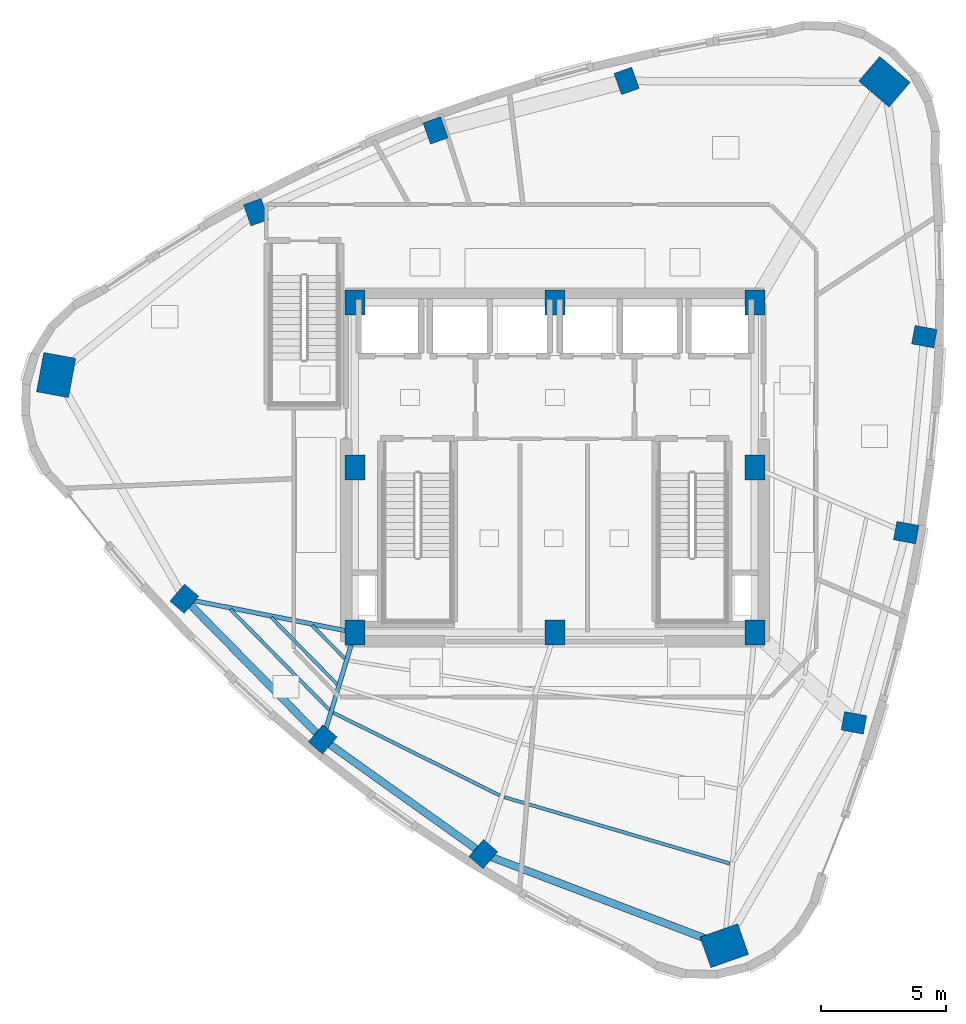
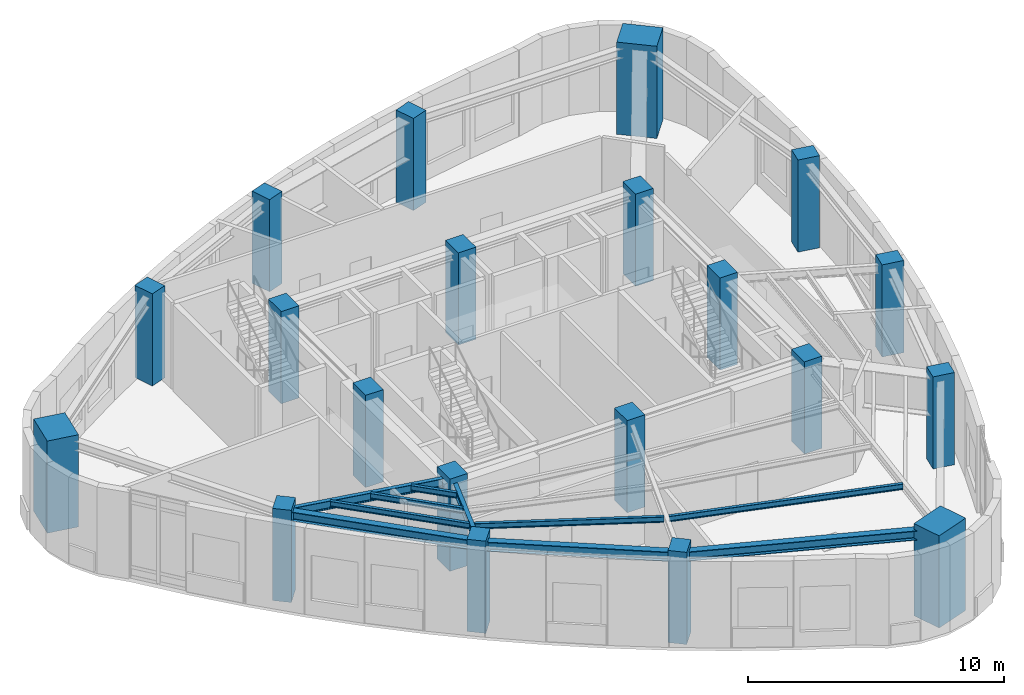
# One storey, part 1 of 14: 20 columns, 10 beams.
"""IFC4 building model written with IfcOpenShell, lengths in metres."""

from ifc_helpers import new_model, si_unit, direction, frame, origin, origin_2d, place, context, subcontext, project, spatial, rectangle, i_section, extrude, material, material_profile, profile_set, type_object, element, save


model = new_model("IFC4")

# Units and contexts
model_context = context("Model", 3, precision=1e-05, world=origin(), true_north=direction((0.0, 1.0)))
body_context = subcontext(model_context, "Body", "Model", "MODEL_VIEW")
ifc_project = project(units=[si_unit("LENGTHUNIT", "METRE"), si_unit("AREAUNIT", "SQUARE_METRE"), si_unit("VOLUMEUNIT", "CUBIC_METRE"), si_unit("PLANEANGLEUNIT", "RADIAN"), si_unit("MASSUNIT", "GRAM", prefix="KILO")], contexts=[model_context])

# Site, building, storey
site_placement = place(None, origin())
site = spatial("IfcSite", under=ifc_project, at=site_placement, CompositionType="ELEMENT")
building_placement = place(site_placement, origin())
building = spatial("IfcBuilding", under=site, at=building_placement, Name="Ndelora Gate Hotel", CompositionType="ELEMENT")
storey_placement = place(building_placement, frame((0.0, 0.0, 281.60009765625)))
storey = spatial("IfcBuildingStorey", under=building, at=storey_placement, Name="L70", CompositionType="ELEMENT", Elevation=281.60009765625)

# Columns
ifc_material_1 = material(Name="Concrete C50/60", Category="concrete")
ifc_material_profile_1 = material_profile(ifc_material_1, rectangle(XDim=0.800048828125, YDim=1.0, at=origin_2d()), Name="RC 1000x800")
ifc_profile_set_1 = profile_set([ifc_material_profile_1], Name="Concrete C50/60")
column_type_1 = type_object("IfcColumnType", Name="COL-CC-HI", PredefinedType="COLUMN", material=ifc_profile_set_1)
for number, where, z_axis, x_axis, name in (
    (1, (-8.0, -6.60009765625, 0.0), (0.0, 0.0, 1.0), (1.0, 0.0, 0.0), "L70 Core Column CC1"),
    (2, (0.0, -6.60009765625, 0.0), (0.0, 0.0, 1.0), (1.0, 0.0, 0.0), "L70 Core Column CC2"),
    (3, (8.0, -6.60009765625, 0.0), (0.0, 0.0, 1.0), (1.0, 0.0, 0.0), "L70 Core Column CC3"),
    (4, (8.0, 0.0, 0.0), (0.0, 0.0, 1.0), (1.0, 0.0, 0.0), "L70 Core Column CC4"),
    (5, (8.0, 6.60009765625, 0.0), (0.0, 0.0, 1.0), (1.0, 0.0, 0.0), "L70 Core Column CC5"),
    (6, (0.0, 6.60009765625, 0.0), (0.0, 0.0, 1.0), (1.0, 0.0, 0.0), "L70 Core Column CC6"),
    (7, (-8.0, 6.60009765625, 0.0), (0.0, 0.0, 1.0), (1.0, 0.0, 0.0), "L70 Core Column CC7"),
    (8, (-8.0, 0.0, 0.0), (0.0, 0.0, 1.0), (1.0, 0.0, 0.0), "L70 Core Column CC8"),
):
    element("IfcColumn", number, at=place(storey_placement, frame(where, z_axis=z_axis, x_axis=x_axis)), inside=storey, type_object=column_type_1, Name=name, PredefinedType="COLUMN", context=body_context, shape_type="SweptSolid", body=[
        extrude(rectangle(XDim=0.800048828125, YDim=1.0, at=origin_2d()), origin(), (0.0, 0.0, 1.0), 4.39990234375),
    ])
ifc_material_profile_2 = material_profile(ifc_material_1, rectangle(XDim=1.300048828125, YDim=1.60009765625, at=origin_2d()), Name="RC 1600x1300")
ifc_profile_set_2 = profile_set([ifc_material_profile_2], Name="Concrete C50/60")
column_type_2 = type_object("IfcColumnType", Name="COL-MC-Z4", PredefinedType="COLUMN", material=ifc_profile_set_2)
for number, where, z_axis, x_axis, name in (
    (9, (-19.949951171875, 3.697509765625, 0.0), (0.0, 0.0, 1.0), (-0.983254907564, 0.182235525492, 0.0), "L70 Corner Mega-Column R1"),
    (10, (6.772705078125, -19.1259765625, 0.0), (0.0, 0.0, 1.0), (-0.333806859234, 0.942641491092, 0.0), "L70 Corner Mega-Column R5"),
    (11, (13.177001953125, 15.428466796875, 0.0), (0.0, 0.0, 1.0), (0.64944804833, 0.7604059656, 0.0), "L70 Corner Mega-Column R9"),
):
    element("IfcColumn", number, at=place(storey_placement, frame(where, z_axis=z_axis, x_axis=x_axis)), inside=storey, type_object=column_type_2, Name=name, PredefinedType="COLUMN", context=body_context, shape_type="SweptSolid", body=[
        extrude(rectangle(XDim=1.300048828125, YDim=1.60009765625, at=origin_2d()), origin(), (0.0, 0.0, 1.0), 4.39990234375),
    ])
ifc_material_profile_3 = material_profile(ifc_material_1, rectangle(XDim=0.75, YDim=0.89990234375, at=origin_2d()), Name="RC 900x750")
ifc_profile_set_3 = profile_set([ifc_material_profile_3], Name="Concrete C50/60")
column_type_3 = type_object("IfcColumnType", Name="COL-PT-Z4", PredefinedType="COLUMN", material=ifc_profile_set_3)
for number, where, z_axis, x_axis, name in (
    (12, (-14.822509765625, -5.248779296875, 0.0), (0.0, 0.0, 1.0), (-0.7604059656, 0.64944804833, 0.0), "L70 Perimeter Tube Column R2"),
    (13, (-9.2890625, -10.876220703125, 0.0), (0.0, 0.0, 1.0), (-0.7604059656, 0.64944804833, 0.0), "L70 Perimeter Tube Column R3"),
    (14, (-2.865478515625, -15.461181640625, 0.0), (0.0, 0.0, 1.0), (-0.7604059656, 0.64944804833, 0.0), "L70 Perimeter Tube Column R4"),
    (15, (11.956787109375, -10.212158203125, 0.0), (0.0, 0.0, 1.0), (0.182235525492, 0.983254907564, 0.0), "L70 Perimeter Tube Column R6"),
    (16, (14.0498046875, -2.60400390625, 0.0), (0.0, 0.0, 1.0), (0.182235525492, 0.983254907564, 0.0), "L70 Perimeter Tube Column R7"),
    (17, (14.77490234375, 5.232177734375, 0.0), (0.0, 0.0, 1.0), (0.182235525492, 0.983254907564, 0.0), "L70 Perimeter Tube Column R8"),
    (18, (2.865478515625, 15.461181640625, 0.0), (0.0, 0.0, 1.0), (0.942641491092, 0.333806859234, 0.0), "L70 Perimeter Tube Column R10"),
    (19, (-4.7744140625, 13.482666015625, 0.0), (0.0, 0.0, 1.0), (0.942641491092, 0.333806859234, 0.0), "L70 Perimeter Tube Column R11"),
    (20, (-11.956787109375, 10.212158203125, 0.0), (0.0, 0.0, 1.0), (0.942641491092, 0.333806859234, 0.0), "L70 Perimeter Tube Column R12"),
):
    element("IfcColumn", number, at=place(storey_placement, frame(where, z_axis=z_axis, x_axis=x_axis)), inside=storey, type_object=column_type_3, Name=name, PredefinedType="COLUMN", context=body_context, shape_type="SweptSolid", body=[
        extrude(rectangle(XDim=0.75, YDim=0.89990234375, at=origin_2d()), origin(), (0.0, 0.0, 1.0), 4.39990234375),
    ])

# Beams
ifc_material_2 = material(Name="Steel S355", Category="steel")
ifc_material_profile_4 = material_profile(ifc_material_2, i_section(OverallWidth=0.135009765625, OverallDepth=0.27001953125, WebThickness=0.006591796875, FlangeThickness=0.01025390625, FilletRadius=0.014892578125, at=origin_2d()), Name="IPE 270")
ifc_profile_set_4 = profile_set([ifc_material_profile_4], Name="Steel S355")
beam_type_1 = type_object("IfcBeamType", Name="BM-JST-270", PredefinedType="JOIST", material=ifc_profile_set_4)
beam_1_placement = place(storey_placement, frame((-9.70361328125, -6.320068359375, 3.994873046875), z_axis=(0.701148889104, -0.713014891365, 0.0), x_axis=(0.713014891365, 0.701148889104, 0.0)))
element("IfcBeam", 21, at=beam_1_placement, inside=storey, type_object=beam_type_1, Name="L70 Secondary Composite Floor Joist IN-2", PredefinedType="JOIST", context=body_context, shape_type="SweptSolid", body=[
    extrude(i_section(OverallWidth=0.135009765625, OverallDepth=0.27001953125, WebThickness=0.006591796875, FlangeThickness=0.01025390625, FilletRadius=0.014892578125, at=origin_2d()), origin(), (0.0, 0.0, 1.0), 1.851806640625),
])
beam_2_placement = place(storey_placement, frame((-11.341064453125, -5.995849609375, 3.994873046875), z_axis=(0.701150996754, -0.713012818785, 0.0), x_axis=(0.713012818785, 0.701150996754, 0.0)))
element("IfcBeam", 22, at=beam_2_placement, inside=storey, type_object=beam_type_1, Name="L70 Secondary Composite Floor Joist MID-2", PredefinedType="JOIST", context=body_context, shape_type="SweptSolid", body=[
    extrude(i_section(OverallWidth=0.135009765625, OverallDepth=0.27001953125, WebThickness=0.006591796875, FlangeThickness=0.01025390625, FilletRadius=0.014892578125, at=origin_2d()), origin(), (0.0, 0.0, 1.0), 3.745849609375),
])
beam_3_placement = place(storey_placement, frame((-12.978515625, -5.67138671875, 3.994873046875), z_axis=(0.701130048955, -0.713033417486, 0.0), x_axis=(0.713033417486, 0.701130048955, 0.0)))
element("IfcBeam", 23, at=beam_3_placement, inside=storey, type_object=beam_type_1, Name="L70 Secondary Composite Floor Joist OUT-2", PredefinedType="JOIST", context=body_context, shape_type="SweptSolid", body=[
    extrude(i_section(OverallWidth=0.135009765625, OverallDepth=0.27001953125, WebThickness=0.006591796875, FlangeThickness=0.01025390625, FilletRadius=0.014892578125, at=origin_2d()), origin(), (0.0, 0.0, 1.0), 5.640380859375),
])
beam_4_placement = place(storey_placement, frame((-8.864501953125, -9.808837890625, 3.994873046875), z_axis=(0.895678939113, -0.444701290788, 0.0), x_axis=(0.444701290788, 0.895678939113, 0.0)))
element("IfcBeam", 24, at=beam_4_placement, inside=storey, type_object=beam_type_1, Name="L70 Secondary Composite Floor Joist OUT-3", PredefinedType="JOIST", context=body_context, shape_type="SweptSolid", body=[
    extrude(i_section(OverallWidth=0.135009765625, OverallDepth=0.27001953125, WebThickness=0.006591796875, FlangeThickness=0.01025390625, FilletRadius=0.014892578125, at=origin_2d()), origin(), (0.0, 0.0, 1.0), 7.4296875),
])
beam_5_placement = place(storey_placement, frame((-2.0244140625, -13.185546875, 3.994873046875), z_axis=(0.959300565601, -0.282387012517, 0.0), x_axis=(0.282387012517, 0.959300565601, 0.0)))
element("IfcBeam", 25, at=beam_5_placement, inside=storey, type_object=beam_type_1, Name="L70 Secondary Composite Floor Joist OUT-4", PredefinedType="JOIST", context=body_context, shape_type="SweptSolid", body=[
    extrude(i_section(OverallWidth=0.135009765625, OverallDepth=0.27001953125, WebThickness=0.006591796875, FlangeThickness=0.01025390625, FilletRadius=0.014892578125, at=origin_2d()), origin(), (0.0, 0.0, 1.0), 9.403076171875),
])
ifc_material_profile_5 = material_profile(ifc_material_2, i_section(OverallWidth=0.179931640625, OverallDepth=0.39990234375, WebThickness=0.008544921875, FlangeThickness=0.013427734375, FilletRadius=0.02099609375, at=origin_2d()), Name="IPE 400")
ifc_profile_set_5 = profile_set([ifc_material_profile_5], Name="Steel S355")
beam_type_2 = type_object("IfcBeamType", Name="BM-RAD-400", PredefinedType="BEAM", material=ifc_profile_set_5)
beam_6_placement = place(storey_placement, frame((-8.0, -6.60009765625, 3.929931640625), z_axis=(-0.980943509294, 0.194293158846, 0.0), x_axis=(-0.194293158846, -0.980943509294, 0.0)))
element("IfcBeam", 26, at=beam_6_placement, inside=storey, type_object=beam_type_2, Name="L70 Radial Floor Girder 2", PredefinedType="BEAM", context=body_context, shape_type="SweptSolid", body=[
    extrude(i_section(OverallWidth=0.179931640625, OverallDepth=0.39990234375, WebThickness=0.008544921875, FlangeThickness=0.013427734375, FilletRadius=0.02099609375, at=origin_2d()), origin(), (0.0, 0.0, 1.0), 6.955078125),
])
beam_7_placement = place(storey_placement, frame((-8.0, -6.60009765625, 3.929931640625), z_axis=(-0.288626468578, -0.957441779763, 0.0), x_axis=(0.957441779763, -0.288626468578, 0.0)))
element("IfcBeam", 27, at=beam_7_placement, inside=storey, type_object=beam_type_2, Name="L70 Radial Floor Girder 3", PredefinedType="BEAM", context=body_context, shape_type="SweptSolid", body=[
    extrude(i_section(OverallWidth=0.179931640625, OverallDepth=0.39990234375, WebThickness=0.008544921875, FlangeThickness=0.013427734375, FilletRadius=0.02099609375, at=origin_2d()), origin(), (0.0, 0.0, 1.0), 4.46630859375),
])
ifc_material_profile_6 = material_profile(ifc_material_2, i_section(OverallWidth=0.300048828125, OverallDepth=0.449951171875, WebThickness=0.013916015625, FlangeThickness=0.02587890625, FilletRadius=0.027099609375, at=origin_2d()), Name="HEB 450")
ifc_profile_set_6 = profile_set([ifc_material_profile_6], Name="Steel S355")
beam_type_3 = type_object("IfcBeamType", Name="BM-RING-450", PredefinedType="SPANDREL", material=ifc_profile_set_6)
beam_8_placement = place(storey_placement, frame((-14.822509765625, -5.248779296875, 3.90478515625), z_axis=(0.701126845775, -0.713036567179, 0.0), x_axis=(0.713036567179, 0.701126845775, 0.0)))
element("IfcBeam", 28, at=beam_8_placement, inside=storey, type_object=beam_type_3, Name="L70 Perimeter Spandrel Girder 2", PredefinedType="SPANDREL", context=body_context, shape_type="SweptSolid", body=[
    extrude(i_section(OverallWidth=0.300048828125, OverallDepth=0.449951171875, WebThickness=0.013916015625, FlangeThickness=0.02587890625, FilletRadius=0.027099609375, at=origin_2d()), origin(), (0.0, 0.0, 1.0), 7.892333984375),
])
beam_9_placement = place(storey_placement, frame((-9.2890625, -10.876220703125, 3.90478515625), z_axis=(0.813931993272, -0.580960162428, 0.0), x_axis=(0.580960162428, 0.813931993272, 0.0)))
element("IfcBeam", 29, at=beam_9_placement, inside=storey, type_object=beam_type_3, Name="L70 Perimeter Spandrel Girder 3", PredefinedType="SPANDREL", context=body_context, shape_type="SweptSolid", body=[
    extrude(i_section(OverallWidth=0.300048828125, OverallDepth=0.449951171875, WebThickness=0.013916015625, FlangeThickness=0.02587890625, FilletRadius=0.027099609375, at=origin_2d()), origin(), (0.0, 0.0, 1.0), 7.89208984375),
])
beam_10_placement = place(storey_placement, frame((-2.865478515625, -15.461181640625, 3.90478515625), z_axis=(0.934709973152, -0.355411403997, 0.0), x_axis=(0.355411403997, 0.934709973152, 0.0)))
element("IfcBeam", 30, at=beam_10_placement, inside=storey, type_object=beam_type_3, Name="L70 Perimeter Spandrel Girder 4", PredefinedType="SPANDREL", context=body_context, shape_type="SweptSolid", body=[
    extrude(i_section(OverallWidth=0.300048828125, OverallDepth=0.449951171875, WebThickness=0.013916015625, FlangeThickness=0.02587890625, FilletRadius=0.027099609375, at=origin_2d()), origin(), (0.0, 0.0, 1.0), 10.3115234375),
])

save(model, "model.ifc")
